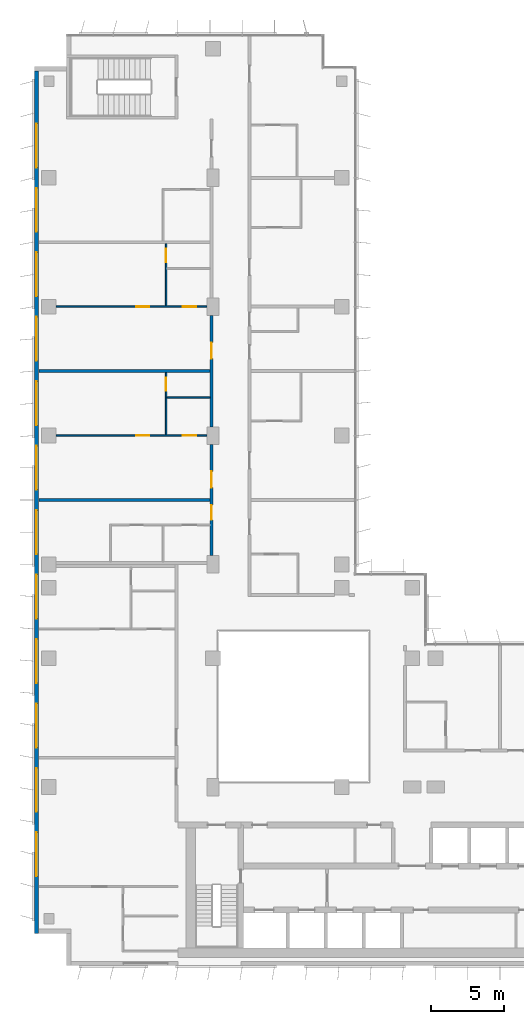
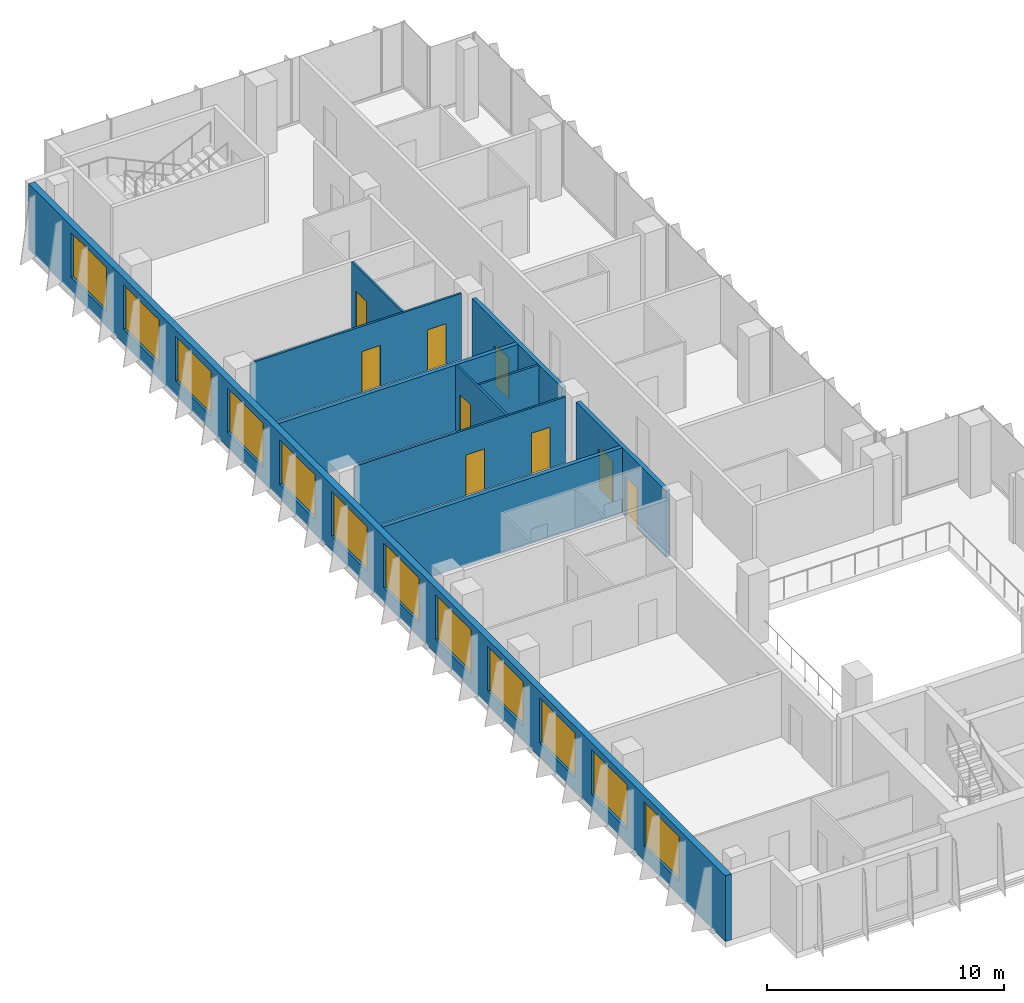
# One storey, part 16 of 21: 12 windows, 10 walls, 9 doors, 21 openings.
"""IFC4 building model written with IfcOpenShell, lengths in metres."""

import ifcopenshell
import ifcopenshell.guid

model = None  # the IFC model being written
_history = None  # IfcOwnerHistory: only IFC2X3 demands one
_inside = {}  # id of a spatial element -> (the spatial element, [elements in it])
_under = {}  # id of a project, library or spatial element -> (it, [spatial elements below it])
_declared = {}  # id of a project -> (the project, [libraries it declares])
_typed = {}  # id of a type object -> (the type object, [elements of that type])
_made_of = {}  # id of a material, layer set ... -> (it, [elements and type objects made of it])


def new_model(schema):
    """Start an empty IFC model of exactly this schema.

    Asked for "IFC4X3", IfcOpenShell would pick the latest addendum, in which some entities
    have other attributes; the version numbers below select the first issue.
    IFC2X3 requires an IfcOwnerHistory on every rooted entity: one is made here for all.
    """
    global model, _history
    if schema == "IFC4X3":
        model = ifcopenshell.file(schema_version=(4, 3, 0, 0))
    else:
        model = ifcopenshell.file(schema=schema)
    _inside.clear()
    _under.clear()
    _declared.clear()
    _typed.clear()
    _made_of.clear()
    _history = None
    if model.schema == "IFC2X3":
        org = make("IfcOrganization", Name="unknown")
        user = make(
            "IfcPersonAndOrganization",
            ThePerson=make("IfcPerson", FamilyName="unknown"),
            TheOrganization=org,
        )
        app = make(
            "IfcApplication",
            ApplicationDeveloper=org,
            Version="unknown",
            ApplicationFullName="unknown",
            ApplicationIdentifier="unknown",
        )
        _history = make(
            "IfcOwnerHistory",
            OwningUser=user,
            OwningApplication=app,
            ChangeAction="ADDED",
            CreationDate=0,
        )
    return model


def make(cls, **values):
    """One entity of the class cls with the attributes given. An attribute that is None is left unset."""
    return model.create_entity(
        cls, **{name: value for name, value in values.items() if value is not None}
    )


def rooted(cls, **values):
    """An entity with a GlobalId (a new one), such as an element, a storey or a relation."""
    return make(cls, GlobalId=ifcopenshell.guid.new(), OwnerHistory=_history, **values)


def si_unit(unit_type, name, prefix=None):
    """IfcSIUnit, for example si_unit("LENGTHUNIT", "METRE", prefix="MILLI")."""
    return make("IfcSIUnit", UnitType=unit_type, Prefix=prefix, Name=name)


def assignment(units):
    """IfcUnitAssignment: the units of a project."""
    return None if units is None else make("IfcUnitAssignment", Units=units)


def point(xyz):
    """IfcCartesianPoint."""
    return None if xyz is None else make("IfcCartesianPoint", Coordinates=xyz)


def direction(xyz):
    """IfcDirection."""
    return None if xyz is None else make("IfcDirection", DirectionRatios=xyz)


def frame(location, z_axis=None, x_axis=None):
    """IfcAxis2Placement3D, a coordinate frame: its origin and axes. An axis left out is left unset."""
    return make(
        "IfcAxis2Placement3D",
        Location=point(location),
        Axis=direction(z_axis),
        RefDirection=direction(x_axis),
    )


def frame_2d(location, x_axis=None):
    """IfcAxis2Placement2D, a coordinate frame in the plane: its origin and x axis."""
    return make(
        "IfcAxis2Placement2D", Location=point(location), RefDirection=direction(x_axis)
    )


def origin():
    """The frame at (0, 0, 0) with its axes left unset."""
    return frame((0.0, 0.0, 0.0))


def place(relative_to, where):
    """IfcLocalPlacement: puts the frame where relative to a parent placement (None: the world)."""
    return make(
        "IfcLocalPlacement", PlacementRelTo=relative_to, RelativePlacement=where
    )


def context(
    kind, dimensions, precision=None, world=None, true_north=None, identifier=None
):
    """IfcGeometricRepresentationContext, for example the 3D "Model" context."""
    return make(
        "IfcGeometricRepresentationContext",
        ContextIdentifier=identifier,
        ContextType=kind,
        CoordinateSpaceDimension=dimensions,
        Precision=precision,
        WorldCoordinateSystem=world,
        TrueNorth=true_north,
    )


def subcontext(parent, identifier, kind, view, scale=None):
    """IfcGeometricRepresentationSubContext, for example "Body" below "Model"."""
    return make(
        "IfcGeometricRepresentationSubContext",
        ContextIdentifier=identifier,
        ContextType=kind,
        ParentContext=parent,
        TargetScale=scale,
        TargetView=view,
    )


def project(units=None, contexts=None):
    """IfcProject with its units and contexts."""
    return rooted(
        "IfcProject",
        Name="project",
        RepresentationContexts=contexts,
        UnitsInContext=assignment(units),
    )


def spatial(cls, under=None, at=None, **own):
    """A site, building, storey or space (cls), placed at a placement, below another one or the project."""
    s = rooted(cls, ObjectPlacement=at, **own)
    if under is not None:
        _under.setdefault(under.id(), (under, []))[1].append(s)
    return s


def profile(cls, at=None, kind="AREA", **sizes):
    """A parametric profile (cls). Its sizes go by their IFC names, for example OverallWidth=200.0."""
    return make(cls, ProfileType=kind, Position=at, **sizes)


def rectangle(**sizes):
    """IfcRectangleProfileDef."""
    return profile("IfcRectangleProfileDef", **sizes)


def extrude(swept, where, along, depth):
    """IfcExtrudedAreaSolid: the profile swept, set in the frame where, extruded along a direction by depth."""
    return make(
        "IfcExtrudedAreaSolid",
        SweptArea=swept,
        Position=where,
        ExtrudedDirection=direction(along),
        Depth=depth,
    )


def shape(context_of_items, identifier, shape_type, items):
    """IfcShapeRepresentation: the items that make up one representation, for example the "Body"."""
    return make(
        "IfcShapeRepresentation",
        ContextOfItems=context_of_items,
        RepresentationIdentifier=identifier,
        RepresentationType=shape_type,
        Items=items,
    )


def material(Name=None, Category=None):
    """IfcMaterial."""
    return make("IfcMaterial", Name=Name, Category=Category)


def layer(
    of_material, thickness, ventilated=None, Name=None, Category=None, Priority=None
):
    """IfcMaterialLayer: one layer of a wall or slab, of a material (None: an air gap)."""
    return make(
        "IfcMaterialLayer",
        Material=of_material,
        LayerThickness=thickness,
        IsVentilated=ventilated,
        Name=Name,
        Category=Category,
        Priority=Priority,
    )


def layer_set(layers, Name=None):
    """IfcMaterialLayerSet."""
    return make("IfcMaterialLayerSet", MaterialLayers=layers, LayerSetName=Name)


def made_of(thing, what):
    """Note that an element or type object is made of a material, layer set ...; save() writes the relation."""
    if what is not None:
        _made_of.setdefault(what.id(), (what, []))[1].append(thing)
    return thing


def type_object(cls, material=None, **own):
    """A type object (cls), such as IfcWallType, which elements share."""
    return made_of(rooted(cls, **own), material)


def element(
    cls,
    number,
    at=None,
    inside=None,
    cuts=None,
    type_object=None,
    material=None,
    context=None,
    identifier="Body",
    shape_type=None,
    held_by="IfcProductDefinitionShape",
    body=None,
    shapes=None,
    **own,
):
    """One element of the class cls, such as IfcWall. Its Tag is "e" and its number.

    at: its placement. inside: the storey or other place that contains it. cuts: it is an
    opening in that element (IfcRelVoidsElement). A single representation is given by context,
    identifier, shape_type and body (its items); several are given by shapes. held_by: the class
    of the entity that holds the representations. save() writes the other relations.
    """
    e = rooted(cls, Tag="e%d" % number, ObjectPlacement=at, **own)
    if body is not None:
        shapes = [shape(context, identifier, shape_type, body)]
    if shapes is not None:
        e.Representation = make(held_by, Representations=shapes)
    if inside is not None:
        _inside.setdefault(inside.id(), (inside, []))[1].append(e)
    if cuts is not None:
        rooted(
            "IfcRelVoidsElement", RelatingBuildingElement=cuts, RelatedOpeningElement=e
        )
    if type_object is not None:
        _typed.setdefault(type_object.id(), (type_object, []))[1].append(e)
    return made_of(e, material)


def fill(opening, filler):
    """IfcRelFillsElement: the door or window that sits in an opening."""
    return rooted(
        "IfcRelFillsElement",
        RelatingOpeningElement=opening,
        RelatedBuildingElement=filler,
    )


def aggregate(whole, parts):
    """IfcRelAggregates: a whole, such as a stair, and the parts it consists of."""
    return rooted("IfcRelAggregates", RelatingObject=whole, RelatedObjects=parts)


def save(model, path):
    """Write the relations noted so far, then the file.

    IfcRelAggregates (storeys below a building ...), IfcRelContainedInSpatialStructure (elements
    in a storey), IfcRelDefinesByType, IfcRelAssociatesMaterial and IfcRelDeclares: one each for
    every whole, place, type object, material and project.
    """
    for whole, parts in _under.values():
        aggregate(whole, parts)
    for where, things in _inside.values():
        rooted(
            "IfcRelContainedInSpatialStructure",
            RelatedElements=things,
            RelatingStructure=where,
        )
    for kind, things in _typed.values():
        rooted("IfcRelDefinesByType", RelatedObjects=things, RelatingType=kind)
    for what, things in _made_of.values():
        rooted("IfcRelAssociatesMaterial", RelatedObjects=things, RelatingMaterial=what)
    for by, libraries in _declared.values():
        rooted("IfcRelDeclares", RelatingContext=by, RelatedDefinitions=libraries)
    model.write(path)


model = new_model("IFC4")

# Units and contexts
model_context = context("Model", 3, precision=1e-05, world=origin(), true_north=direction((0.0, 1.0)))
body_context = subcontext(model_context, "Body", "Model", "MODEL_VIEW")
ifc_project = project(units=[si_unit("LENGTHUNIT", "METRE"), si_unit("AREAUNIT", "SQUARE_METRE"), si_unit("VOLUMEUNIT", "CUBIC_METRE"), si_unit("PLANEANGLEUNIT", "RADIAN"), si_unit("MASSUNIT", "GRAM", prefix="KILO")], contexts=[model_context])

# Site, building, storey
site_placement = place(None, origin())
site = spatial("IfcSite", under=ifc_project, at=site_placement, CompositionType="ELEMENT")
building_placement = place(site_placement, origin())
building = spatial("IfcBuilding", under=site, at=building_placement, Name="Kemantara Hotel Tower", CompositionType="ELEMENT")
storey_placement = place(building_placement, frame((0.0, 0.0, 211.699951171875)))
storey = spatial("IfcBuildingStorey", under=building, at=storey_placement, Name="L52", CompositionType="ELEMENT", Elevation=211.699951171875)

# Wall, openings, windows
ifc_material_1 = material(Name="Bronze anodised aluminium cladding on insulated steel stud wall", Category="steel")
ifc_layer_1 = layer(ifc_material_1, 0.300048828125)
ifc_layer_set_1 = layer_set([ifc_layer_1], Name="Bronze anodised aluminium cladding on insulated steel stud wall")
wall_type_1 = type_object("IfcWallType", Name="BRONZE METAL-CLAD EXTERNAL WALL 300", PredefinedType="STANDARD", material=ifc_layer_set_1)
wall_1_placement = place(storey_placement, frame((0.14990234375, 61.10009765625, 0.0), z_axis=(0.0, 0.0, 1.0), x_axis=(0.0, -1.0, 0.0)))
wall_1 = element("IfcWall", 1, at=wall_1_placement, inside=storey, type_object=wall_type_1, Name="EXTERNAL WALL L52 T3-R05", PredefinedType="STANDARD", context=body_context, shape_type="SweptSolid", body=[
    extrude(rectangle(XDim=58.900146484375, YDim=0.300048828125, at=frame_2d((29.4501953125, 0.0))), origin(), (0.0, 0.0, 1.0), 3.400146484375),
])
opening_1_placement = place(wall_1_placement, frame((3.60009765625, 0.0, 0.75)))
opening_1 = element("IfcOpeningElement", 2, at=opening_1_placement, cuts=wall_1, Name="Opening W1", PredefinedType="OPENING", context=body_context, shape_type="SweptSolid", body=[
    extrude(rectangle(XDim=3.0, YDim=2.300048828125, at=frame_2d((1.5, 1.14990234375))), frame((0.0, 0.159912109375, 0.0), z_axis=(0.0, -1.0, 0.0), x_axis=(1.0, 0.0, 0.0)), (0.0, 0.0, 1.0), 0.320068359375),
])
opening_2_placement = place(wall_1_placement, frame((8.0, 0.0, 0.75)))
opening_2 = element("IfcOpeningElement", 3, at=opening_2_placement, cuts=wall_1, Name="Opening W1", PredefinedType="OPENING", context=body_context, shape_type="SweptSolid", body=[
    extrude(rectangle(XDim=3.0, YDim=2.300048828125, at=frame_2d((1.5, 1.14990234375))), frame((0.0, 0.159912109375, 0.0), z_axis=(0.0, -1.0, 0.0), x_axis=(1.0, 0.0, 0.0)), (0.0, 0.0, 1.0), 0.320068359375),
])
opening_3_placement = place(wall_1_placement, frame((12.39990234375, 0.0, 0.75)))
opening_3 = element("IfcOpeningElement", 4, at=opening_3_placement, cuts=wall_1, Name="Opening W1", PredefinedType="OPENING", context=body_context, shape_type="SweptSolid", body=[
    extrude(rectangle(XDim=3.0, YDim=2.300048828125, at=frame_2d((1.5, 1.14990234375))), frame((0.0, 0.159912109375, 0.0), z_axis=(0.0, -1.0, 0.0), x_axis=(1.0, 0.0, 0.0)), (0.0, 0.0, 1.0), 0.320068359375),
])
opening_4_placement = place(wall_1_placement, frame((16.800048828125, 0.0, 0.75)))
opening_4 = element("IfcOpeningElement", 5, at=opening_4_placement, cuts=wall_1, Name="Opening W1", PredefinedType="OPENING", context=body_context, shape_type="SweptSolid", body=[
    extrude(rectangle(XDim=3.0, YDim=2.300048828125, at=frame_2d((1.5, 1.14990234375))), frame((0.0, 0.159912109375, 0.0), z_axis=(0.0, -1.0, 0.0), x_axis=(1.0, 0.0, 0.0)), (0.0, 0.0, 1.0), 0.320068359375),
])
opening_5_placement = place(wall_1_placement, frame((21.199951171875, 0.0, 0.75)))
opening_5 = element("IfcOpeningElement", 6, at=opening_5_placement, cuts=wall_1, Name="Opening W1", PredefinedType="OPENING", context=body_context, shape_type="SweptSolid", body=[
    extrude(rectangle(XDim=3.0, YDim=2.300048828125, at=frame_2d((1.5, 1.14990234375))), frame((0.0, 0.159912109375, 0.0), z_axis=(0.0, -1.0, 0.0), x_axis=(1.0, 0.0, 0.0)), (0.0, 0.0, 1.0), 0.320068359375),
])
opening_6_placement = place(wall_1_placement, frame((25.60009765625, 0.0, 0.75)))
opening_6 = element("IfcOpeningElement", 7, at=opening_6_placement, cuts=wall_1, Name="Opening W1", PredefinedType="OPENING", context=body_context, shape_type="SweptSolid", body=[
    extrude(rectangle(XDim=3.0, YDim=2.300048828125, at=frame_2d((1.5, 1.14990234375))), frame((0.0, 0.159912109375, 0.0), z_axis=(0.0, -1.0, 0.0), x_axis=(1.0, 0.0, 0.0)), (0.0, 0.0, 1.0), 0.320068359375),
])
opening_7_placement = place(wall_1_placement, frame((30.0, 0.0, 0.75)))
opening_7 = element("IfcOpeningElement", 8, at=opening_7_placement, cuts=wall_1, Name="Opening W1", PredefinedType="OPENING", context=body_context, shape_type="SweptSolid", body=[
    extrude(rectangle(XDim=3.0, YDim=2.300048828125, at=frame_2d((1.5, 1.14990234375))), frame((0.0, 0.159912109375, 0.0), z_axis=(0.0, -1.0, 0.0), x_axis=(1.0, 0.0, 0.0)), (0.0, 0.0, 1.0), 0.320068359375),
])
opening_8_placement = place(wall_1_placement, frame((34.39990234375, 0.0, 0.75)))
opening_8 = element("IfcOpeningElement", 9, at=opening_8_placement, cuts=wall_1, Name="Opening W1", PredefinedType="OPENING", context=body_context, shape_type="SweptSolid", body=[
    extrude(rectangle(XDim=3.0, YDim=2.300048828125, at=frame_2d((1.5, 1.14990234375))), frame((0.0, 0.159912109375, 0.0), z_axis=(0.0, -1.0, 0.0), x_axis=(1.0, 0.0, 0.0)), (0.0, 0.0, 1.0), 0.320068359375),
])
opening_9_placement = place(wall_1_placement, frame((38.800048828125, 0.0, 0.75)))
opening_9 = element("IfcOpeningElement", 10, at=opening_9_placement, cuts=wall_1, Name="Opening W1", PredefinedType="OPENING", context=body_context, shape_type="SweptSolid", body=[
    extrude(rectangle(XDim=3.0, YDim=2.300048828125, at=frame_2d((1.5, 1.14990234375))), frame((0.0, 0.159912109375, 0.0), z_axis=(0.0, -1.0, 0.0), x_axis=(1.0, 0.0, 0.0)), (0.0, 0.0, 1.0), 0.320068359375),
])
opening_10_placement = place(wall_1_placement, frame((43.199951171875, 0.0, 0.75)))
opening_10 = element("IfcOpeningElement", 11, at=opening_10_placement, cuts=wall_1, Name="Opening W1", PredefinedType="OPENING", context=body_context, shape_type="SweptSolid", body=[
    extrude(rectangle(XDim=3.0, YDim=2.300048828125, at=frame_2d((1.5, 1.14990234375))), frame((0.0, 0.159912109375, 0.0), z_axis=(0.0, -1.0, 0.0), x_axis=(1.0, 0.0, 0.0)), (0.0, 0.0, 1.0), 0.320068359375),
])
opening_11_placement = place(wall_1_placement, frame((47.60009765625, 0.0, 0.75)))
opening_11 = element("IfcOpeningElement", 12, at=opening_11_placement, cuts=wall_1, Name="Opening W1", PredefinedType="OPENING", context=body_context, shape_type="SweptSolid", body=[
    extrude(rectangle(XDim=3.0, YDim=2.300048828125, at=frame_2d((1.5, 1.14990234375))), frame((0.0, 0.159912109375, 0.0), z_axis=(0.0, -1.0, 0.0), x_axis=(1.0, 0.0, 0.0)), (0.0, 0.0, 1.0), 0.320068359375),
])
opening_12_placement = place(wall_1_placement, frame((52.0, 0.0, 0.75)))
opening_12 = element("IfcOpeningElement", 13, at=opening_12_placement, cuts=wall_1, Name="Opening W1", PredefinedType="OPENING", context=body_context, shape_type="SweptSolid", body=[
    extrude(rectangle(XDim=3.0, YDim=2.300048828125, at=frame_2d((1.5, 1.14990234375))), frame((0.0, 0.159912109375, 0.0), z_axis=(0.0, -1.0, 0.0), x_axis=(1.0, 0.0, 0.0)), (0.0, 0.0, 1.0), 0.320068359375),
])
ifc_material_2 = material(Name="Low-E tinted double insulated glass in bronze anodised aluminium frame", Category="aluminium")
window_type = type_object("IfcWindowType", Name="CHICAGO WINDOW, TRIPLE PANEL 3000x2300", PartitioningType="TRIPLE_PANEL_VERTICAL", PredefinedType="WINDOW", material=ifc_material_2)
window_1_placement = place(opening_1_placement, origin())
window_1 = element("IfcWindow", 14, at=window_1_placement, inside=storey, type_object=window_type, Name="CHICAGO WINDOW L52 T3-R05-54", OverallHeight=2.300048828125, OverallWidth=3.0, PartitioningType="SINGLE_PANEL", PredefinedType="WINDOW", context=body_context, shape_type="SweptSolid", body=[
    extrude(rectangle(XDim=3.0, YDim=2.300048828125, at=frame_2d((1.5, 1.14990234375))), frame((0.0, 0.030029296875, 0.0), z_axis=(0.0, -1.0, 0.0), x_axis=(1.0, 0.0, 0.0)), (0.0, 0.0, 1.0), 0.06005859375),
])
fill(opening_1, window_1)
window_2_placement = place(opening_2_placement, origin())
window_2 = element("IfcWindow", 15, at=window_2_placement, inside=storey, type_object=window_type, Name="CHICAGO WINDOW L52 T3-R05-98", OverallHeight=2.300048828125, OverallWidth=3.0, PartitioningType="SINGLE_PANEL", PredefinedType="WINDOW", context=body_context, shape_type="SweptSolid", body=[
    extrude(rectangle(XDim=3.0, YDim=2.300048828125, at=frame_2d((1.5, 1.14990234375))), frame((0.0, 0.030029296875, 0.0), z_axis=(0.0, -1.0, 0.0), x_axis=(1.0, 0.0, 0.0)), (0.0, 0.0, 1.0), 0.06005859375),
])
fill(opening_2, window_2)
window_3_placement = place(opening_3_placement, origin())
window_3 = element("IfcWindow", 16, at=window_3_placement, inside=storey, type_object=window_type, Name="CHICAGO WINDOW L52 T3-R05-142", OverallHeight=2.300048828125, OverallWidth=3.0, PartitioningType="SINGLE_PANEL", PredefinedType="WINDOW", context=body_context, shape_type="SweptSolid", body=[
    extrude(rectangle(XDim=3.0, YDim=2.300048828125, at=frame_2d((1.5, 1.14990234375))), frame((0.0, 0.030029296875, 0.0), z_axis=(0.0, -1.0, 0.0), x_axis=(1.0, 0.0, 0.0)), (0.0, 0.0, 1.0), 0.06005859375),
])
fill(opening_3, window_3)
window_4_placement = place(opening_4_placement, origin())
window_4 = element("IfcWindow", 17, at=window_4_placement, inside=storey, type_object=window_type, Name="CHICAGO WINDOW L52 T3-R05-186", OverallHeight=2.300048828125, OverallWidth=3.0, PartitioningType="SINGLE_PANEL", PredefinedType="WINDOW", context=body_context, shape_type="SweptSolid", body=[
    extrude(rectangle(XDim=3.0, YDim=2.300048828125, at=frame_2d((1.5, 1.14990234375))), frame((0.0, 0.030029296875, 0.0), z_axis=(0.0, -1.0, 0.0), x_axis=(1.0, 0.0, 0.0)), (0.0, 0.0, 1.0), 0.06005859375),
])
fill(opening_4, window_4)
window_5_placement = place(opening_5_placement, origin())
window_5 = element("IfcWindow", 18, at=window_5_placement, inside=storey, type_object=window_type, Name="CHICAGO WINDOW L52 T3-R05-230", OverallHeight=2.300048828125, OverallWidth=3.0, PartitioningType="SINGLE_PANEL", PredefinedType="WINDOW", context=body_context, shape_type="SweptSolid", body=[
    extrude(rectangle(XDim=3.0, YDim=2.300048828125, at=frame_2d((1.5, 1.14990234375))), frame((0.0, 0.030029296875, 0.0), z_axis=(0.0, -1.0, 0.0), x_axis=(1.0, 0.0, 0.0)), (0.0, 0.0, 1.0), 0.06005859375),
])
fill(opening_5, window_5)
window_6_placement = place(opening_6_placement, origin())
window_6 = element("IfcWindow", 19, at=window_6_placement, inside=storey, type_object=window_type, Name="CHICAGO WINDOW L52 T3-R05-274", OverallHeight=2.300048828125, OverallWidth=3.0, PartitioningType="SINGLE_PANEL", PredefinedType="WINDOW", context=body_context, shape_type="SweptSolid", body=[
    extrude(rectangle(XDim=3.0, YDim=2.300048828125, at=frame_2d((1.5, 1.14990234375))), frame((0.0, 0.030029296875, 0.0), z_axis=(0.0, -1.0, 0.0), x_axis=(1.0, 0.0, 0.0)), (0.0, 0.0, 1.0), 0.06005859375),
])
fill(opening_6, window_6)
window_7_placement = place(opening_7_placement, origin())
window_7 = element("IfcWindow", 20, at=window_7_placement, inside=storey, type_object=window_type, Name="CHICAGO WINDOW L52 T3-R05-318", OverallHeight=2.300048828125, OverallWidth=3.0, PartitioningType="SINGLE_PANEL", PredefinedType="WINDOW", context=body_context, shape_type="SweptSolid", body=[
    extrude(rectangle(XDim=3.0, YDim=2.300048828125, at=frame_2d((1.5, 1.14990234375))), frame((0.0, 0.030029296875, 0.0), z_axis=(0.0, -1.0, 0.0), x_axis=(1.0, 0.0, 0.0)), (0.0, 0.0, 1.0), 0.06005859375),
])
fill(opening_7, window_7)
window_8_placement = place(opening_8_placement, origin())
window_8 = element("IfcWindow", 21, at=window_8_placement, inside=storey, type_object=window_type, Name="CHICAGO WINDOW L52 T3-R05-362", OverallHeight=2.300048828125, OverallWidth=3.0, PartitioningType="SINGLE_PANEL", PredefinedType="WINDOW", context=body_context, shape_type="SweptSolid", body=[
    extrude(rectangle(XDim=3.0, YDim=2.300048828125, at=frame_2d((1.5, 1.14990234375))), frame((0.0, 0.030029296875, 0.0), z_axis=(0.0, -1.0, 0.0), x_axis=(1.0, 0.0, 0.0)), (0.0, 0.0, 1.0), 0.06005859375),
])
fill(opening_8, window_8)
window_9_placement = place(opening_9_placement, origin())
window_9 = element("IfcWindow", 22, at=window_9_placement, inside=storey, type_object=window_type, Name="CHICAGO WINDOW L52 T3-R05-406", OverallHeight=2.300048828125, OverallWidth=3.0, PartitioningType="SINGLE_PANEL", PredefinedType="WINDOW", context=body_context, shape_type="SweptSolid", body=[
    extrude(rectangle(XDim=3.0, YDim=2.300048828125, at=frame_2d((1.5, 1.14990234375))), frame((0.0, 0.030029296875, 0.0), z_axis=(0.0, -1.0, 0.0), x_axis=(1.0, 0.0, 0.0)), (0.0, 0.0, 1.0), 0.06005859375),
])
fill(opening_9, window_9)
window_10_placement = place(opening_10_placement, origin())
window_10 = element("IfcWindow", 23, at=window_10_placement, inside=storey, type_object=window_type, Name="CHICAGO WINDOW L52 T3-R05-450", OverallHeight=2.300048828125, OverallWidth=3.0, PartitioningType="SINGLE_PANEL", PredefinedType="WINDOW", context=body_context, shape_type="SweptSolid", body=[
    extrude(rectangle(XDim=3.0, YDim=2.300048828125, at=frame_2d((1.5, 1.14990234375))), frame((0.0, 0.030029296875, 0.0), z_axis=(0.0, -1.0, 0.0), x_axis=(1.0, 0.0, 0.0)), (0.0, 0.0, 1.0), 0.06005859375),
])
fill(opening_10, window_10)
window_11_placement = place(opening_11_placement, origin())
window_11 = element("IfcWindow", 24, at=window_11_placement, inside=storey, type_object=window_type, Name="CHICAGO WINDOW L52 T3-R05-494", OverallHeight=2.300048828125, OverallWidth=3.0, PartitioningType="SINGLE_PANEL", PredefinedType="WINDOW", context=body_context, shape_type="SweptSolid", body=[
    extrude(rectangle(XDim=3.0, YDim=2.300048828125, at=frame_2d((1.5, 1.14990234375))), frame((0.0, 0.030029296875, 0.0), z_axis=(0.0, -1.0, 0.0), x_axis=(1.0, 0.0, 0.0)), (0.0, 0.0, 1.0), 0.06005859375),
])
fill(opening_11, window_11)
window_12_placement = place(opening_12_placement, origin())
window_12 = element("IfcWindow", 25, at=window_12_placement, inside=storey, type_object=window_type, Name="CHICAGO WINDOW L52 T3-R05-538", OverallHeight=2.300048828125, OverallWidth=3.0, PartitioningType="SINGLE_PANEL", PredefinedType="WINDOW", context=body_context, shape_type="SweptSolid", body=[
    extrude(rectangle(XDim=3.0, YDim=2.300048828125, at=frame_2d((1.5, 1.14990234375))), frame((0.0, 0.030029296875, 0.0), z_axis=(0.0, -1.0, 0.0), x_axis=(1.0, 0.0, 0.0)), (0.0, 0.0, 1.0), 0.06005859375),
])
fill(opening_12, window_12)

# Wall, openings, doors
ifc_material_3 = material(Name="Gypsum board partition, steel studs and mineral wool, 200 mm", Category="steel")
ifc_layer_2 = layer(ifc_material_3, 0.199951171875)
ifc_layer_set_2 = layer_set([ifc_layer_2], Name="Gypsum board partition, steel studs and mineral wool, 200 mm")
wall_type_2 = type_object("IfcWallType", Name="CORRIDOR WALL 200", PredefinedType="PARTITIONING", material=ifc_layer_set_2)
wall_2_placement = place(storey_placement, frame((12.10009765625, 28.0, 0.0), z_axis=(0.0, 0.0, 1.0), x_axis=(0.0, 1.0, 0.0)))
wall_2 = element("IfcWall", 26, at=wall_2_placement, inside=storey, type_object=wall_type_2, Name="CORRIDOR WALL 200 017", PredefinedType="PARTITIONING", context=body_context, shape_type="SweptSolid", body=[
    extrude(rectangle(XDim=7.599853515625, YDim=0.199951171875, at=frame_2d((3.7998046875, 0.0))), origin(), (0.0, 0.0, 1.0), 3.400146484375),
])
opening_13_placement = place(wall_2_placement, frame((2.449951171875, 0.0, 0.0)))
opening_13 = element("IfcOpeningElement", 27, at=opening_13_placement, cuts=wall_2, Name="Opening F25-031", PredefinedType="OPENING", context=body_context, shape_type="SweptSolid", body=[
    extrude(rectangle(XDim=1.0, YDim=2.10009765625, at=frame_2d((0.5, 1.050048828125))), frame((0.0, 0.10986328125, 0.0), z_axis=(0.0, -1.0, 0.0), x_axis=(1.0, 0.0, 0.0)), (0.0, 0.0, 1.0), 0.219970703125),
])
opening_14_placement = place(wall_2_placement, frame((4.64990234375, 0.0, 0.0)))
opening_14 = element("IfcOpeningElement", 28, at=opening_14_placement, cuts=wall_2, Name="Opening F25-034", PredefinedType="OPENING", context=body_context, shape_type="SweptSolid", body=[
    extrude(rectangle(XDim=1.10009765625, YDim=2.10009765625, at=frame_2d((0.550048828125, 1.050048828125))), frame((0.0, 0.10986328125, 0.0), z_axis=(0.0, -1.0, 0.0), x_axis=(1.0, 0.0, 0.0)), (0.0, 0.0, 1.0), 0.219970703125),
])
ifc_material_4 = material(Name="Hardwood veneer door leaf with steel frame", Category="steel")
door_type_1 = type_object("IfcDoorType", Name="GUEST ROOM DOOR 1000 X 2100 FD30S", OperationType="NOTDEFINED", PredefinedType="DOOR", material=ifc_material_4)
door_1_placement = place(opening_13_placement, origin())
door_1 = element("IfcDoor", 29, at=door_1_placement, inside=storey, type_object=door_type_1, Name="GUEST ROOM DOOR F25-031", OperationType="SINGLE_SWING_RIGHT", OverallHeight=2.10009765625, OverallWidth=1.0, PredefinedType="DOOR", context=body_context, shape_type="SweptSolid", body=[
    extrude(rectangle(XDim=1.0, YDim=2.10009765625, at=frame_2d((0.5, 1.050048828125))), frame((0.0, 0.02490234375, 0.0), z_axis=(0.0, -1.0, 0.0), x_axis=(1.0, 0.0, 0.0)), (0.0, 0.0, 1.0), 0.050048828125),
])
fill(opening_13, door_1)
door_type_2 = type_object("IfcDoorType", Name="SUITE ENTRANCE DOOR 1100 X 2100 FD30S", OperationType="NOTDEFINED", PredefinedType="DOOR", material=ifc_material_4)
door_2_placement = place(opening_14_placement, origin())
door_2 = element("IfcDoor", 30, at=door_2_placement, inside=storey, type_object=door_type_2, Name="SUITE ENTRANCE DOOR F25-034", OperationType="SINGLE_SWING_LEFT", OverallHeight=2.10009765625, OverallWidth=1.10009765625, PredefinedType="DOOR", context=body_context, shape_type="SweptSolid", body=[
    extrude(rectangle(XDim=1.10009765625, YDim=2.10009765625, at=frame_2d((0.550048828125, 1.050048828125))), frame((0.0, 0.02490234375, 0.0), z_axis=(0.0, -1.0, 0.0), x_axis=(1.0, 0.0, 0.0)), (0.0, 0.0, 1.0), 0.050048828125),
])
fill(opening_14, door_2)

# Wall, opening, door
wall_3_placement = place(storey_placement, frame((12.10009765625, 36.800048828125, 0.0), z_axis=(0.0, 0.0, 1.0), x_axis=(0.0, 1.0, 0.0)))
wall_3 = element("IfcWall", 31, at=wall_3_placement, inside=storey, type_object=wall_type_2, Name="CORRIDOR WALL 200 018", PredefinedType="PARTITIONING", context=body_context, shape_type="SweptSolid", body=[
    extrude(rectangle(XDim=7.599853515625, YDim=0.199951171875, at=frame_2d((3.7998046875, 0.0))), origin(), (0.0, 0.0, 1.0), 3.400146484375),
])
opening_15_placement = place(wall_3_placement, frame((4.64990234375, 0.0, 0.0)))
opening_15 = element("IfcOpeningElement", 32, at=opening_15_placement, cuts=wall_3, Name="Opening F25-038", PredefinedType="OPENING", context=body_context, shape_type="SweptSolid", body=[
    extrude(rectangle(XDim=1.10009765625, YDim=2.10009765625, at=frame_2d((0.550048828125, 1.050048828125))), frame((0.0, 0.10986328125, 0.0), z_axis=(0.0, -1.0, 0.0), x_axis=(1.0, 0.0, 0.0)), (0.0, 0.0, 1.0), 0.219970703125),
])
door_3_placement = place(opening_15_placement, origin())
door_3 = element("IfcDoor", 33, at=door_3_placement, inside=storey, type_object=door_type_2, Name="SUITE ENTRANCE DOOR F25-038", OperationType="SINGLE_SWING_LEFT", OverallHeight=2.10009765625, OverallWidth=1.10009765625, PredefinedType="DOOR", context=body_context, shape_type="SweptSolid", body=[
    extrude(rectangle(XDim=1.10009765625, YDim=2.10009765625, at=frame_2d((0.550048828125, 1.050048828125))), frame((0.0, 0.02490234375, 0.0), z_axis=(0.0, -1.0, 0.0), x_axis=(1.0, 0.0, 0.0)), (0.0, 0.0, 1.0), 0.050048828125),
])
fill(opening_15, door_3)

# Walls
ifc_layer_3 = layer(ifc_material_3, 0.199951171875)
ifc_layer_set_3 = layer_set([ifc_layer_3], Name="Gypsum board partition, steel studs and mineral wool, 200 mm")
wall_type_3 = type_object("IfcWallType", Name="GUEST ROOM PARTY WALL 200", PredefinedType="PARTITIONING", material=ifc_layer_set_3)
for number, where, z_axis, x_axis, name in (
    (34, (0.31005859375, 31.800048828125, 0.0), (0.0, 0.0, 1.0), (1.0, 0.0, 0.0), "GUEST ROOM PARTY WALL 200 022"),
    (35, (0.31005859375, 40.60009765625, 0.0), (0.0, 0.0, 1.0), (1.0, 0.0, 0.0), "GUEST ROOM PARTY WALL 200 024"),
):
    element("IfcWall", number, at=place(storey_placement, frame(where, z_axis=z_axis, x_axis=x_axis)), inside=storey, type_object=wall_type_3, Name=name, PredefinedType="PARTITIONING", context=body_context, shape_type="SweptSolid", body=[
        extrude(rectangle(XDim=11.68994140625, YDim=0.199951171875, at=frame_2d((5.844970703125, 0.0))), origin(), (0.0, 0.0, 1.0), 3.400146484375),
    ])

# Wall, opening, door
ifc_material_5 = material(Name="Gypsum board partition on steel studs, 100 mm", Category="steel")
ifc_layer_4 = layer(ifc_material_5, 0.10009765625)
ifc_layer_set_4 = layer_set([ifc_layer_4], Name="Gypsum board partition on steel studs, 100 mm")
wall_type_4 = type_object("IfcWallType", Name="ROOM PARTITION 100", PredefinedType="PARTITIONING", material=ifc_layer_set_4)
wall_4_placement = place(storey_placement, frame((9.0, 40.5, 0.0), z_axis=(0.0, 0.0, 1.0), x_axis=(0.0, -1.0, 0.0)))
wall_4 = element("IfcWall", 36, at=wall_4_placement, inside=storey, type_object=wall_type_4, Name="ROOM PARTITION 100 063", PredefinedType="PARTITIONING", context=body_context, shape_type="SweptSolid", body=[
    extrude(rectangle(XDim=4.25, YDim=0.10009765625, at=frame_2d((2.125, 0.0))), origin(), (0.0, 0.0, 1.0), 3.400146484375),
])
opening_16_placement = place(wall_4_placement, frame((0.35009765625, 0.0, 0.0)))
opening_16 = element("IfcOpeningElement", 37, at=opening_16_placement, cuts=wall_4, Name="Opening F25-037", PredefinedType="OPENING", context=body_context, shape_type="SweptSolid", body=[
    extrude(rectangle(XDim=0.89990234375, YDim=2.10009765625, at=frame_2d((0.449951171875, 1.050048828125))), frame((0.0, 0.06005859375, 0.0), z_axis=(0.0, -1.0, 0.0), x_axis=(1.0, 0.0, 0.0)), (0.0, 0.0, 1.0), 0.1201171875),
])
door_type_3 = type_object("IfcDoorType", Name="BATHROOM DOOR 900 X 2100", OperationType="NOTDEFINED", PredefinedType="DOOR", material=ifc_material_4)
door_4_placement = place(opening_16_placement, origin())
door_4 = element("IfcDoor", 38, at=door_4_placement, inside=storey, type_object=door_type_3, Name="BATHROOM DOOR F25-037", OperationType="SINGLE_SWING_RIGHT", OverallHeight=2.10009765625, OverallWidth=0.89990234375, PredefinedType="DOOR", context=body_context, shape_type="SweptSolid", body=[
    extrude(rectangle(XDim=0.89990234375, YDim=2.10009765625, at=frame_2d((0.449951171875, 1.050048828125))), frame((0.0, 0.02490234375, 0.0), z_axis=(0.0, -1.0, 0.0), x_axis=(1.0, 0.0, 0.0)), (0.0, 0.0, 1.0), 0.050048828125),
])
fill(opening_16, door_4)

wall_5_placement = place(storey_placement, frame((9.0, 49.300048828125, 0.0), z_axis=(0.0, 0.0, 1.0), x_axis=(0.0, -1.0, 0.0)))
wall_5 = element("IfcWall", 39, at=wall_5_placement, inside=storey, type_object=wall_type_4, Name="ROOM PARTITION 100 064", PredefinedType="PARTITIONING", context=body_context, shape_type="SweptSolid", body=[
    extrude(rectangle(XDim=4.25, YDim=0.10009765625, at=frame_2d((2.125, 0.0))), origin(), (0.0, 0.0, 1.0), 3.400146484375),
])
opening_17_placement = place(wall_5_placement, frame((0.35009765625, 0.0, 0.0)))
opening_17 = element("IfcOpeningElement", 40, at=opening_17_placement, cuts=wall_5, Name="Opening F25-041", PredefinedType="OPENING", context=body_context, shape_type="SweptSolid", body=[
    extrude(rectangle(XDim=0.89990234375, YDim=2.10009765625, at=frame_2d((0.449951171875, 1.050048828125))), frame((0.0, 0.06005859375, 0.0), z_axis=(0.0, -1.0, 0.0), x_axis=(1.0, 0.0, 0.0)), (0.0, 0.0, 1.0), 0.1201171875),
])
door_5_placement = place(opening_17_placement, origin())
door_5 = element("IfcDoor", 41, at=door_5_placement, inside=storey, type_object=door_type_3, Name="BATHROOM DOOR F25-041", OperationType="SINGLE_SWING_RIGHT", OverallHeight=2.10009765625, OverallWidth=0.89990234375, PredefinedType="DOOR", context=body_context, shape_type="SweptSolid", body=[
    extrude(rectangle(XDim=0.89990234375, YDim=2.10009765625, at=frame_2d((0.449951171875, 1.050048828125))), frame((0.0, 0.02490234375, 0.0), z_axis=(0.0, -1.0, 0.0), x_axis=(1.0, 0.0, 0.0)), (0.0, 0.0, 1.0), 0.050048828125),
])
fill(opening_17, door_5)

# Wall, openings, doors
wall_6_placement = place(storey_placement, frame((1.5, 36.199951171875, 0.0), z_axis=(0.0, 0.0, 1.0), x_axis=(1.0, 0.0, 0.0)))
wall_6 = element("IfcWall", 42, at=wall_6_placement, inside=storey, type_object=wall_type_4, Name="ROOM PARTITION 100 065", PredefinedType="PARTITIONING", context=body_context, shape_type="SweptSolid", body=[
    extrude(rectangle(XDim=10.2998046875, YDim=0.10009765625, at=frame_2d((5.14990234375, 0.0))), origin(), (0.0, 0.0, 1.0), 3.400146484375),
])
opening_18_placement = place(wall_6_placement, frame((8.64990234375, 0.0, 0.0)))
opening_18 = element("IfcOpeningElement", 43, at=opening_18_placement, cuts=wall_6, Name="Opening F25-035", PredefinedType="OPENING", context=body_context, shape_type="SweptSolid", body=[
    extrude(rectangle(XDim=0.89990234375, YDim=2.10009765625, at=frame_2d((0.449951171875, 1.050048828125))), frame((0.0, 0.06005859375, 0.0), z_axis=(0.0, -1.0, 0.0), x_axis=(1.0, 0.0, 0.0)), (0.0, 0.0, 1.0), 0.1201171875),
])
opening_19_placement = place(wall_6_placement, frame((5.449951171875, 0.0, 0.0)))
opening_19 = element("IfcOpeningElement", 44, at=opening_19_placement, cuts=wall_6, Name="Opening F25-036", PredefinedType="OPENING", context=body_context, shape_type="SweptSolid", body=[
    extrude(rectangle(XDim=0.89990234375, YDim=2.10009765625, at=frame_2d((0.449951171875, 1.050048828125))), frame((0.0, 0.06005859375, 0.0), z_axis=(0.0, -1.0, 0.0), x_axis=(1.0, 0.0, 0.0)), (0.0, 0.0, 1.0), 0.1201171875),
])
door_type_4 = type_object("IfcDoorType", Name="INTERNAL DOOR 900 X 2100", OperationType="NOTDEFINED", PredefinedType="DOOR", material=ifc_material_4)
door_6_placement = place(opening_19_placement, origin())
door_6 = element("IfcDoor", 45, at=door_6_placement, inside=storey, type_object=door_type_4, Name="INTERNAL DOOR F25-036", OperationType="SINGLE_SWING_RIGHT", OverallHeight=2.10009765625, OverallWidth=0.89990234375, PredefinedType="DOOR", context=body_context, shape_type="SweptSolid", body=[
    extrude(rectangle(XDim=0.89990234375, YDim=2.10009765625, at=frame_2d((0.449951171875, 1.050048828125))), frame((0.0, 0.02490234375, 0.0), z_axis=(0.0, -1.0, 0.0), x_axis=(1.0, 0.0, 0.0)), (0.0, 0.0, 1.0), 0.050048828125),
])
fill(opening_19, door_6)
door_type_5 = type_object("IfcDoorType", Name="PANTRY DOOR 900 X 2100", OperationType="NOTDEFINED", PredefinedType="DOOR", material=ifc_material_4)
door_7_placement = place(opening_18_placement, frame((0.89990234375, 0.0, 0.0), z_axis=(0.0, 0.0, 1.0), x_axis=(-1.0, 0.0, 0.0)))
door_7 = element("IfcDoor", 46, at=door_7_placement, inside=storey, type_object=door_type_5, Name="PANTRY DOOR F25-035", OperationType="SINGLE_SWING_RIGHT", OverallHeight=2.10009765625, OverallWidth=0.89990234375, PredefinedType="DOOR", context=body_context, shape_type="SweptSolid", body=[
    extrude(rectangle(XDim=0.89990234375, YDim=2.10009765625, at=frame_2d((0.449951171875, 1.050048828125))), frame((0.0, 0.02490234375, 0.0), z_axis=(0.0, -1.0, 0.0), x_axis=(1.0, 0.0, 0.0)), (0.0, 0.0, 1.0), 0.050048828125),
])
fill(opening_18, door_7)

# Wall
wall_7_placement = place(storey_placement, frame((9.050048828125, 38.800048828125, 0.0), z_axis=(0.0, 0.0, 1.0), x_axis=(1.0, 0.0, 0.0)))
element("IfcWall", 47, at=wall_7_placement, inside=storey, type_object=wall_type_4, Name="ROOM PARTITION 100 066", PredefinedType="PARTITIONING", context=body_context, shape_type="SweptSolid", body=[
    extrude(rectangle(XDim=2.949951171875, YDim=0.10009765625, at=frame_2d((1.47509765625, 0.0))), origin(), (0.0, 0.0, 1.0), 3.400146484375),
])

# Wall, openings, doors
wall_8_placement = place(storey_placement, frame((1.5, 45.0, 0.0), z_axis=(0.0, 0.0, 1.0), x_axis=(1.0, 0.0, 0.0)))
wall_8 = element("IfcWall", 48, at=wall_8_placement, inside=storey, type_object=wall_type_4, Name="ROOM PARTITION 100 067", PredefinedType="PARTITIONING", context=body_context, shape_type="SweptSolid", body=[
    extrude(rectangle(XDim=10.2998046875, YDim=0.10009765625, at=frame_2d((5.14990234375, 0.0))), origin(), (0.0, 0.0, 1.0), 3.400146484375),
])
opening_20_placement = place(wall_8_placement, frame((8.64990234375, 0.0, 0.0)))
opening_20 = element("IfcOpeningElement", 49, at=opening_20_placement, cuts=wall_8, Name="Opening F25-039", PredefinedType="OPENING", context=body_context, shape_type="SweptSolid", body=[
    extrude(rectangle(XDim=0.89990234375, YDim=2.10009765625, at=frame_2d((0.449951171875, 1.050048828125))), frame((0.0, 0.06005859375, 0.0), z_axis=(0.0, -1.0, 0.0), x_axis=(1.0, 0.0, 0.0)), (0.0, 0.0, 1.0), 0.1201171875),
])
opening_21_placement = place(wall_8_placement, frame((5.449951171875, 0.0, 0.0)))
opening_21 = element("IfcOpeningElement", 50, at=opening_21_placement, cuts=wall_8, Name="Opening F25-040", PredefinedType="OPENING", context=body_context, shape_type="SweptSolid", body=[
    extrude(rectangle(XDim=0.89990234375, YDim=2.10009765625, at=frame_2d((0.449951171875, 1.050048828125))), frame((0.0, 0.06005859375, 0.0), z_axis=(0.0, -1.0, 0.0), x_axis=(1.0, 0.0, 0.0)), (0.0, 0.0, 1.0), 0.1201171875),
])
door_8_placement = place(opening_21_placement, origin())
door_8 = element("IfcDoor", 51, at=door_8_placement, inside=storey, type_object=door_type_4, Name="INTERNAL DOOR F25-040", OperationType="SINGLE_SWING_RIGHT", OverallHeight=2.10009765625, OverallWidth=0.89990234375, PredefinedType="DOOR", context=body_context, shape_type="SweptSolid", body=[
    extrude(rectangle(XDim=0.89990234375, YDim=2.10009765625, at=frame_2d((0.449951171875, 1.050048828125))), frame((0.0, 0.02490234375, 0.0), z_axis=(0.0, -1.0, 0.0), x_axis=(1.0, 0.0, 0.0)), (0.0, 0.0, 1.0), 0.050048828125),
])
fill(opening_21, door_8)
door_9_placement = place(opening_20_placement, frame((0.89990234375, 0.0, 0.0), z_axis=(0.0, 0.0, 1.0), x_axis=(-1.0, 0.0, 0.0)))
door_9 = element("IfcDoor", 52, at=door_9_placement, inside=storey, type_object=door_type_5, Name="PANTRY DOOR F25-039", OperationType="SINGLE_SWING_RIGHT", OverallHeight=2.10009765625, OverallWidth=0.89990234375, PredefinedType="DOOR", context=body_context, shape_type="SweptSolid", body=[
    extrude(rectangle(XDim=0.89990234375, YDim=2.10009765625, at=frame_2d((0.449951171875, 1.050048828125))), frame((0.0, 0.02490234375, 0.0), z_axis=(0.0, -1.0, 0.0), x_axis=(1.0, 0.0, 0.0)), (0.0, 0.0, 1.0), 0.050048828125),
])
fill(opening_20, door_9)

save(model, "model.ifc")
